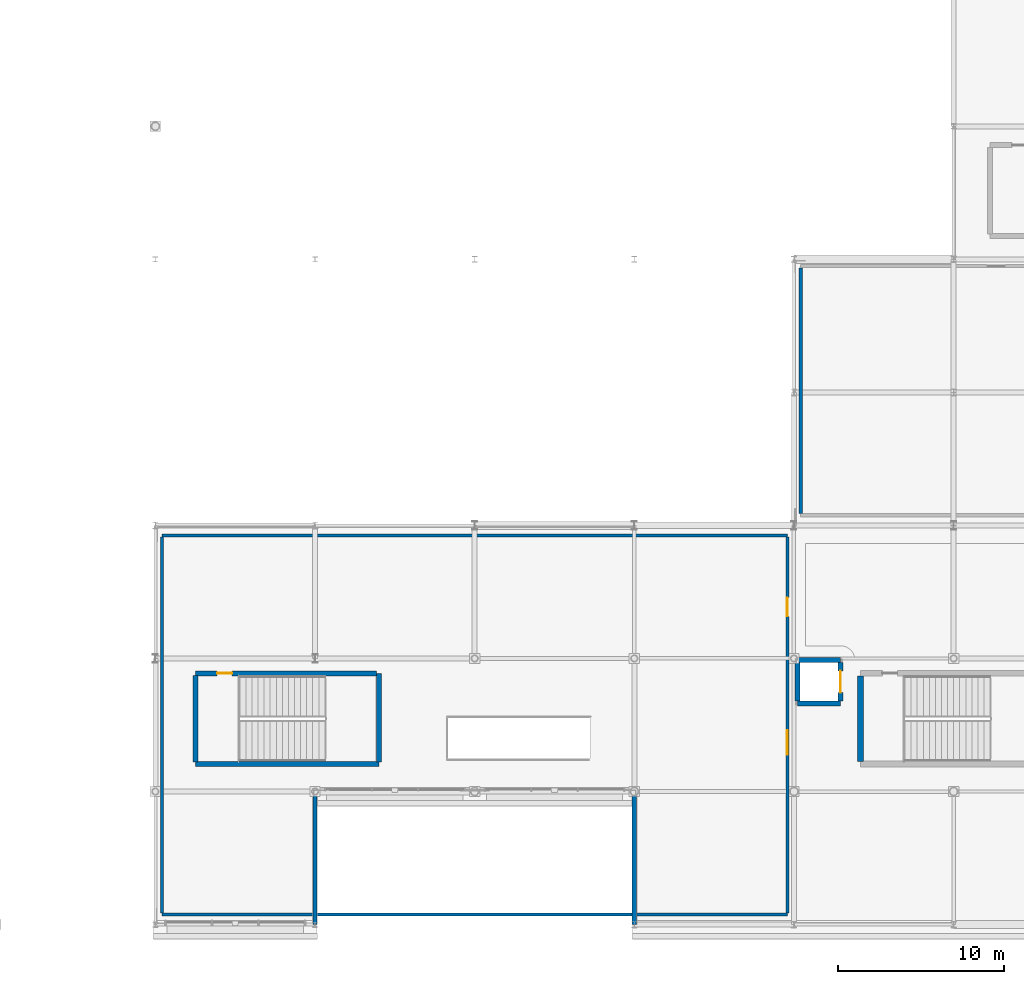
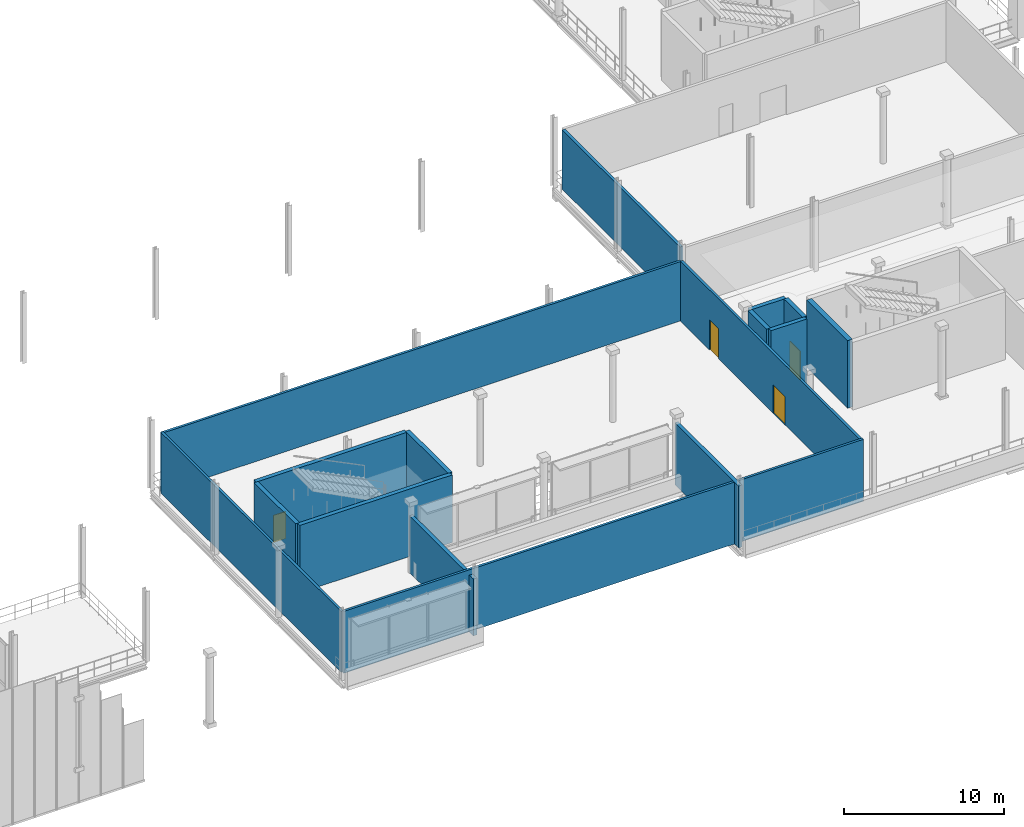
# One storey, part 81 of 129: 16 walls, 4 doors, 4 openings.
"""IFC4 building model written with IfcOpenShell, lengths in metres."""

import ifcopenshell
import ifcopenshell.guid

model = None  # the IFC model being written
_history = None  # IfcOwnerHistory: only IFC2X3 demands one
_inside = {}  # id of a spatial element -> (the spatial element, [elements in it])
_under = {}  # id of a project, library or spatial element -> (it, [spatial elements below it])
_declared = {}  # id of a project -> (the project, [libraries it declares])
_typed = {}  # id of a type object -> (the type object, [elements of that type])
_made_of = {}  # id of a material, layer set ... -> (it, [elements and type objects made of it])


def new_model(schema):
    """Start an empty IFC model of exactly this schema.

    Asked for "IFC4X3", IfcOpenShell would pick the latest addendum, in which some entities
    have other attributes; the version numbers below select the first issue.
    IFC2X3 requires an IfcOwnerHistory on every rooted entity: one is made here for all.
    """
    global model, _history
    if schema == "IFC4X3":
        model = ifcopenshell.file(schema_version=(4, 3, 0, 0))
    else:
        model = ifcopenshell.file(schema=schema)
    _inside.clear()
    _under.clear()
    _declared.clear()
    _typed.clear()
    _made_of.clear()
    _history = None
    if model.schema == "IFC2X3":
        org = make("IfcOrganization", Name="unknown")
        user = make(
            "IfcPersonAndOrganization",
            ThePerson=make("IfcPerson", FamilyName="unknown"),
            TheOrganization=org,
        )
        app = make(
            "IfcApplication",
            ApplicationDeveloper=org,
            Version="unknown",
            ApplicationFullName="unknown",
            ApplicationIdentifier="unknown",
        )
        _history = make(
            "IfcOwnerHistory",
            OwningUser=user,
            OwningApplication=app,
            ChangeAction="ADDED",
            CreationDate=0,
        )
    return model


def make(cls, **values):
    """One entity of the class cls with the attributes given. An attribute that is None is left unset."""
    return model.create_entity(
        cls, **{name: value for name, value in values.items() if value is not None}
    )


def rooted(cls, **values):
    """An entity with a GlobalId (a new one), such as an element, a storey or a relation."""
    return make(cls, GlobalId=ifcopenshell.guid.new(), OwnerHistory=_history, **values)


def si_unit(unit_type, name, prefix=None):
    """IfcSIUnit, for example si_unit("LENGTHUNIT", "METRE", prefix="MILLI")."""
    return make("IfcSIUnit", UnitType=unit_type, Prefix=prefix, Name=name)


def assignment(units):
    """IfcUnitAssignment: the units of a project."""
    return None if units is None else make("IfcUnitAssignment", Units=units)


def point(xyz):
    """IfcCartesianPoint."""
    return None if xyz is None else make("IfcCartesianPoint", Coordinates=xyz)


def direction(xyz):
    """IfcDirection."""
    return None if xyz is None else make("IfcDirection", DirectionRatios=xyz)


def frame(location, z_axis=None, x_axis=None):
    """IfcAxis2Placement3D, a coordinate frame: its origin and axes. An axis left out is left unset."""
    return make(
        "IfcAxis2Placement3D",
        Location=point(location),
        Axis=direction(z_axis),
        RefDirection=direction(x_axis),
    )


def frame_2d(location, x_axis=None):
    """IfcAxis2Placement2D, a coordinate frame in the plane: its origin and x axis."""
    return make(
        "IfcAxis2Placement2D", Location=point(location), RefDirection=direction(x_axis)
    )


def origin():
    """The frame at (0, 0, 0) with its axes left unset."""
    return frame((0.0, 0.0, 0.0))


def place(relative_to, where):
    """IfcLocalPlacement: puts the frame where relative to a parent placement (None: the world)."""
    return make(
        "IfcLocalPlacement", PlacementRelTo=relative_to, RelativePlacement=where
    )


def context(
    kind, dimensions, precision=None, world=None, true_north=None, identifier=None
):
    """IfcGeometricRepresentationContext, for example the 3D "Model" context."""
    return make(
        "IfcGeometricRepresentationContext",
        ContextIdentifier=identifier,
        ContextType=kind,
        CoordinateSpaceDimension=dimensions,
        Precision=precision,
        WorldCoordinateSystem=world,
        TrueNorth=true_north,
    )


def subcontext(parent, identifier, kind, view, scale=None):
    """IfcGeometricRepresentationSubContext, for example "Body" below "Model"."""
    return make(
        "IfcGeometricRepresentationSubContext",
        ContextIdentifier=identifier,
        ContextType=kind,
        ParentContext=parent,
        TargetScale=scale,
        TargetView=view,
    )


def project(units=None, contexts=None):
    """IfcProject with its units and contexts."""
    return rooted(
        "IfcProject",
        Name="project",
        RepresentationContexts=contexts,
        UnitsInContext=assignment(units),
    )


def spatial(cls, under=None, at=None, **own):
    """A site, building, storey or space (cls), placed at a placement, below another one or the project."""
    s = rooted(cls, ObjectPlacement=at, **own)
    if under is not None:
        _under.setdefault(under.id(), (under, []))[1].append(s)
    return s


def profile(cls, at=None, kind="AREA", **sizes):
    """A parametric profile (cls). Its sizes go by their IFC names, for example OverallWidth=200.0."""
    return make(cls, ProfileType=kind, Position=at, **sizes)


def rectangle(**sizes):
    """IfcRectangleProfileDef."""
    return profile("IfcRectangleProfileDef", **sizes)


def extrude(swept, where, along, depth):
    """IfcExtrudedAreaSolid: the profile swept, set in the frame where, extruded along a direction by depth."""
    return make(
        "IfcExtrudedAreaSolid",
        SweptArea=swept,
        Position=where,
        ExtrudedDirection=direction(along),
        Depth=depth,
    )


def shape(context_of_items, identifier, shape_type, items):
    """IfcShapeRepresentation: the items that make up one representation, for example the "Body"."""
    return make(
        "IfcShapeRepresentation",
        ContextOfItems=context_of_items,
        RepresentationIdentifier=identifier,
        RepresentationType=shape_type,
        Items=items,
    )


def material(Name=None, Category=None):
    """IfcMaterial."""
    return make("IfcMaterial", Name=Name, Category=Category)


def layer(
    of_material, thickness, ventilated=None, Name=None, Category=None, Priority=None
):
    """IfcMaterialLayer: one layer of a wall or slab, of a material (None: an air gap)."""
    return make(
        "IfcMaterialLayer",
        Material=of_material,
        LayerThickness=thickness,
        IsVentilated=ventilated,
        Name=Name,
        Category=Category,
        Priority=Priority,
    )


def layer_set(layers, Name=None):
    """IfcMaterialLayerSet."""
    return make("IfcMaterialLayerSet", MaterialLayers=layers, LayerSetName=Name)


def made_of(thing, what):
    """Note that an element or type object is made of a material, layer set ...; save() writes the relation."""
    if what is not None:
        _made_of.setdefault(what.id(), (what, []))[1].append(thing)
    return thing


def type_object(cls, material=None, **own):
    """A type object (cls), such as IfcWallType, which elements share."""
    return made_of(rooted(cls, **own), material)


def element(
    cls,
    number,
    at=None,
    inside=None,
    cuts=None,
    type_object=None,
    material=None,
    context=None,
    identifier="Body",
    shape_type=None,
    held_by="IfcProductDefinitionShape",
    body=None,
    shapes=None,
    **own,
):
    """One element of the class cls, such as IfcWall. Its Tag is "e" and its number.

    at: its placement. inside: the storey or other place that contains it. cuts: it is an
    opening in that element (IfcRelVoidsElement). A single representation is given by context,
    identifier, shape_type and body (its items); several are given by shapes. held_by: the class
    of the entity that holds the representations. save() writes the other relations.
    """
    e = rooted(cls, Tag="e%d" % number, ObjectPlacement=at, **own)
    if body is not None:
        shapes = [shape(context, identifier, shape_type, body)]
    if shapes is not None:
        e.Representation = make(held_by, Representations=shapes)
    if inside is not None:
        _inside.setdefault(inside.id(), (inside, []))[1].append(e)
    if cuts is not None:
        rooted(
            "IfcRelVoidsElement", RelatingBuildingElement=cuts, RelatedOpeningElement=e
        )
    if type_object is not None:
        _typed.setdefault(type_object.id(), (type_object, []))[1].append(e)
    return made_of(e, material)


def fill(opening, filler):
    """IfcRelFillsElement: the door or window that sits in an opening."""
    return rooted(
        "IfcRelFillsElement",
        RelatingOpeningElement=opening,
        RelatedBuildingElement=filler,
    )


def aggregate(whole, parts):
    """IfcRelAggregates: a whole, such as a stair, and the parts it consists of."""
    return rooted("IfcRelAggregates", RelatingObject=whole, RelatedObjects=parts)


def save(model, path):
    """Write the relations noted so far, then the file.

    IfcRelAggregates (storeys below a building ...), IfcRelContainedInSpatialStructure (elements
    in a storey), IfcRelDefinesByType, IfcRelAssociatesMaterial and IfcRelDeclares: one each for
    every whole, place, type object, material and project.
    """
    for whole, parts in _under.values():
        aggregate(whole, parts)
    for where, things in _inside.values():
        rooted(
            "IfcRelContainedInSpatialStructure",
            RelatedElements=things,
            RelatingStructure=where,
        )
    for kind, things in _typed.values():
        rooted("IfcRelDefinesByType", RelatedObjects=things, RelatingType=kind)
    for what, things in _made_of.values():
        rooted("IfcRelAssociatesMaterial", RelatedObjects=things, RelatingMaterial=what)
    for by, libraries in _declared.values():
        rooted("IfcRelDeclares", RelatingContext=by, RelatedDefinitions=libraries)
    model.write(path)


model = new_model("IFC4")

# Units and contexts
model_context = context("Model", 3, precision=1e-05, world=origin(), true_north=direction((0.0, 1.0)))
body_context = subcontext(model_context, "Body", "Model", "MODEL_VIEW")
ifc_project = project(units=[si_unit("LENGTHUNIT", "METRE"), si_unit("AREAUNIT", "SQUARE_METRE"), si_unit("VOLUMEUNIT", "CUBIC_METRE"), si_unit("PLANEANGLEUNIT", "RADIAN"), si_unit("MASSUNIT", "GRAM", prefix="KILO")], contexts=[model_context])

# Site, building, storey
site_placement = place(None, origin())
site = spatial("IfcSite", under=ifc_project, at=site_placement, CompositionType="ELEMENT")
building_placement = place(site_placement, origin())
building = spatial("IfcBuilding", under=site, at=building_placement, Name="Danafjord Basin Convention Centre", CompositionType="ELEMENT")
storey_placement = place(building_placement, frame((0.0, 0.0, 6.0)))
storey = spatial("IfcBuildingStorey", under=building, at=storey_placement, Name="L01", CompositionType="ELEMENT", Elevation=6.0)

# Walls
ifc_material_1 = material(Name="Concrete C40/50", Category="concrete")
ifc_layer_1 = layer(ifc_material_1, 0.300048828125)
ifc_layer_set_1 = layer_set([ifc_layer_1], Name="Concrete C40/50")
wall_type_1 = type_object("IfcWallType", Name="WALL-CW-CORE300", PredefinedType="SHEAR", material=ifc_layer_set_1)
wall_1_placement = place(storey_placement, frame((146.39990234375, 9.64990234375, 0.0), z_axis=(0.0, 0.0, 1.0), x_axis=(1.0, 0.0, 0.0)))
element("IfcWall", 1, at=wall_1_placement, inside=storey, type_object=wall_type_1, Name="Harbour Pavilion West Escape Stair core shear wall (south)", PredefinedType="SHEAR", context=body_context, shape_type="SweptSolid", body=[
    extrude(rectangle(XDim=11.0400390625, YDim=0.300048828125, at=frame_2d((5.52001953125, 0.0))), origin(), (0.0, 0.0, 1.0), 5.169921875),
])
wall_2_placement = place(storey_placement, frame((157.43994140625, 9.784912109375, 0.0), z_axis=(0.0, 0.0, 1.0), x_axis=(0.0, 1.0, 0.0)))
element("IfcWall", 2, at=wall_2_placement, inside=storey, type_object=wall_type_1, Name="Harbour Pavilion West Escape Stair core shear wall (east)", PredefinedType="SHEAR", context=body_context, shape_type="SweptSolid", body=[
    extrude(rectangle(XDim=5.3251953125, YDim=0.300048828125, at=frame_2d((2.66259765625, 0.0))), origin(), (0.0, 0.0, 1.0), 5.169921875),
])

# Wall, opening, door
wall_3_placement = place(storey_placement, frame((157.304931640625, 15.110107421875, 0.0), z_axis=(0.0, 0.0, 1.0), x_axis=(-1.0, 0.0, 0.0)))
wall_3 = element("IfcWall", 3, at=wall_3_placement, inside=storey, type_object=wall_type_1, Name="Harbour Pavilion West Escape Stair core shear wall (north)", PredefinedType="SHEAR", context=body_context, shape_type="SweptSolid", body=[
    extrude(rectangle(XDim=10.905029296875, YDim=0.300048828125, at=frame_2d((5.45263671875, 0.0))), origin(), (0.0, 0.0, 1.0), 5.169921875),
])
opening_1_placement = place(wall_3_placement, frame((8.68408203125, 0.0, 0.0)))
opening_1 = element("IfcOpeningElement", 4, at=opening_1_placement, cuts=wall_3, Name="Opening FD-S01", PredefinedType="OPENING", context=body_context, shape_type="SweptSolid", body=[
    extrude(rectangle(XDim=0.909912109375, YDim=2.080078125, at=frame_2d((0.455078125, 1.0400390625))), frame((0.0, 0.159912109375, 0.0), z_axis=(0.0, -1.0, 0.0), x_axis=(1.0, 0.0, 0.0)), (0.0, 0.0, 1.0), 0.320068359375),
])
ifc_material_2 = material(Name="Powder-coated steel and Nordic oak", Category="steel")
door_type_1 = type_object("IfcDoorType", Name="DOOR-FD-S01", OperationType="NOTDEFINED", PredefinedType="DOOR", material=ifc_material_2)
door_1_placement = place(opening_1_placement, origin())
door_1 = element("IfcDoor", 5, at=door_1_placement, inside=storey, type_object=door_type_1, Name="Harbour Pavilion West Escape Stair L01 Fire Exit Door", OperationType="SINGLE_SWING_RIGHT", OverallHeight=2.080078125, OverallWidth=0.909912109375, PredefinedType="DOOR", context=body_context, shape_type="SweptSolid", body=[
    extrude(rectangle(XDim=0.909912109375, YDim=2.080078125, at=frame_2d((0.455078125, 1.0400390625))), frame((0.0, 0.02490234375, 0.0), z_axis=(0.0, -1.0, 0.0), x_axis=(1.0, 0.0, 0.0)), (0.0, 0.0, 1.0), 0.050048828125),
])
fill(opening_1, door_1)

# Walls
wall_4_placement = place(storey_placement, frame((146.39990234375, 14.97509765625, 0.0), z_axis=(0.0, 0.0, 1.0), x_axis=(0.0, -1.0, 0.0)))
element("IfcWall", 6, at=wall_4_placement, inside=storey, type_object=wall_type_1, Name="Harbour Pavilion West Escape Stair core shear wall (west)", PredefinedType="SHEAR", context=body_context, shape_type="SweptSolid", body=[
    extrude(rectangle(XDim=5.190185546875, YDim=0.300048828125, at=frame_2d((2.59521484375, 0.0))), origin(), (0.0, 0.0, 1.0), 5.169921875),
])
for number, where, z_axis, x_axis, name in (
    (7, (185.199951171875, 15.89990234375, 0.0), (0.0, 0.0, 1.0), (-1.0, 0.0, 0.0), "Lift LF-P06 shaft shear wall"),
    (8, (182.60009765625, 13.300048828125, 0.0), (0.0, 0.0, 1.0), (1.0, 0.0, 0.0), "Lift LF-P06 shaft shear wall"),
):
    element("IfcWall", number, at=place(storey_placement, frame(where, z_axis=z_axis, x_axis=x_axis)), inside=storey, type_object=wall_type_1, Name=name, PredefinedType="SHEAR", context=body_context, shape_type="SweptSolid", body=[
        extrude(rectangle(XDim=2.599853515625, YDim=0.300048828125, at=frame_2d((1.2998046875, 0.0))), origin(), (0.0, 0.0, 1.0), 5.169921875),
    ])

# Wall, opening, door
wall_5_placement = place(storey_placement, frame((185.199951171875, 13.43505859375, 0.0), z_axis=(0.0, 0.0, 1.0), x_axis=(0.0, 1.0, 0.0)))
wall_5 = element("IfcWall", 9, at=wall_5_placement, inside=storey, type_object=wall_type_1, Name="Lift LF-P06 shaft shear wall", PredefinedType="SHEAR", context=body_context, shape_type="SweptSolid", body=[
    extrude(rectangle(XDim=2.329833984375, YDim=0.300048828125, at=frame_2d((1.1650390625, 0.0))), origin(), (0.0, 0.0, 1.0), 5.169921875),
])
opening_2_placement = place(wall_5_placement, frame((0.514892578125, 0.0, 0.0)))
opening_2 = element("IfcOpeningElement", 10, at=opening_2_placement, cuts=wall_5, Name="Opening LD-P02", PredefinedType="OPENING", context=body_context, shape_type="SweptSolid", body=[
    extrude(rectangle(XDim=1.300048828125, YDim=2.219970703125, at=frame_2d((0.64990234375, 1.10986328125))), frame((0.0, 0.159912109375, 0.0), z_axis=(0.0, -1.0, 0.0), x_axis=(1.0, 0.0, 0.0)), (0.0, 0.0, 1.0), 0.320068359375),
])
ifc_material_3 = material(Name="Brushed stainless steel and acoustic laminated glass", Category="steel")
door_type_2 = type_object("IfcDoorType", Name="DOOR-LD-P02", OperationType="DOUBLE_DOOR_SLIDING", PredefinedType="DOOR", material=ifc_material_3)
door_2_placement = place(opening_2_placement, origin())
door_2 = element("IfcDoor", 11, at=door_2_placement, inside=storey, type_object=door_type_2, Name="Lift LF-P06 L01 Landing Door", OperationType="DOUBLE_DOOR_SLIDING", OverallHeight=2.219970703125, OverallWidth=1.300048828125, PredefinedType="DOOR", context=body_context, shape_type="SweptSolid", body=[
    extrude(rectangle(XDim=1.300048828125, YDim=2.219970703125, at=frame_2d((0.64990234375, 1.10986328125))), frame((0.0, 0.02490234375, 0.0), z_axis=(0.0, -1.0, 0.0), x_axis=(1.0, 0.0, 0.0)), (0.0, 0.0, 1.0), 0.050048828125),
])
fill(opening_2, door_2)

# Walls
wall_6_placement = place(storey_placement, frame((182.60009765625, 15.764892578125, 0.0), z_axis=(0.0, 0.0, 1.0), x_axis=(0.0, -1.0, 0.0)))
element("IfcWall", 12, at=wall_6_placement, inside=storey, type_object=wall_type_1, Name="Lift LF-P06 shaft shear wall", PredefinedType="SHEAR", context=body_context, shape_type="SweptSolid", body=[
    extrude(rectangle(XDim=2.329833984375, YDim=0.300048828125, at=frame_2d((1.1650390625, 0.0))), origin(), (0.0, 0.0, 1.0), 5.169921875),
])
ifc_material_4 = material(Name="Concrete C45/55", Category="concrete")
ifc_layer_2 = layer(ifc_material_4, 0.35009765625)
ifc_layer_set_2 = layer_set([ifc_layer_2], Name="Concrete C45/55")
wall_type_2 = type_object("IfcWallType", Name="WALL-CW-CORE350", PredefinedType="SHEAR", material=ifc_layer_set_2)
wall_7_placement = place(storey_placement, frame((186.39990234375, 14.949951171875, 0.0), z_axis=(0.0, 0.0, 1.0), x_axis=(0.0, -1.0, 0.0)))
element("IfcWall", 13, at=wall_7_placement, inside=storey, type_object=wall_type_2, Name="Harbour Pavilion Core Stair 1 core shear wall (west)", PredefinedType="SHEAR", context=body_context, shape_type="SweptSolid", body=[
    extrude(rectangle(XDim=5.139892578125, YDim=0.35009765625, at=frame_2d((2.56982421875, 0.0))), origin(), (0.0, 0.0, 1.0), 5.169921875),
])
ifc_material_5 = material(Name="Concrete C35/45", Category="concrete")
ifc_layer_3 = layer(ifc_material_5, 0.260009765625)
ifc_layer_set_3 = layer_set([ifc_layer_3], Name="Concrete C35/45")
wall_type_3 = type_object("IfcWallType", Name="WALL-EW-STD260", PredefinedType="STANDARD", material=ifc_layer_set_3)
wall_8_placement = place(storey_placement, frame((153.60009765625, 0.0, 0.0), z_axis=(0.0, 0.0, 1.0), x_axis=(0.0, 1.0, 0.0)))
element("IfcWall", 14, at=wall_8_placement, inside=storey, type_object=wall_type_3, Name="Harbour entry court west cheek wall", PredefinedType="STANDARD", context=body_context, shape_type="SweptSolid", body=[
    extrude(rectangle(XDim=8.0, YDim=0.260009765625, at=frame_2d((4.0, 0.0))), origin(), (0.0, 0.0, 1.0), 4.340087890625),
])
wall_9_placement = place(storey_placement, frame((172.800048828125, 0.0, 0.0), z_axis=(0.0, 0.0, 1.0), x_axis=(0.0, 1.0, 0.0)))
element("IfcWall", 15, at=wall_9_placement, inside=storey, type_object=wall_type_3, Name="Harbour entry court east cheek wall", PredefinedType="STANDARD", context=body_context, shape_type="SweptSolid", body=[
    extrude(rectangle(XDim=8.0, YDim=0.260009765625, at=frame_2d((4.0, 0.0))), origin(), (0.0, 0.0, 1.0), 4.739990234375),
])
ifc_material_6 = material(Name="Acoustic double-board gypsum stud partition")
ifc_layer_4 = layer(ifc_material_6, 0.175048828125)
ifc_layer_set_4 = layer_set([ifc_layer_4], Name="Acoustic double-board gypsum stud partition")
wall_type_4 = type_object("IfcWallType", Name="WALL-PT-AC175", PredefinedType="PARTITIONING", material=ifc_layer_set_4)
wall_10_placement = place(storey_placement, frame((182.0, 23.39990234375, 0.0), z_axis=(0.0, 0.0, 1.0), x_axis=(-1.0, 0.0, 0.0)))
element("IfcWall", 16, at=wall_10_placement, inside=storey, type_object=wall_type_4, Name="Nordic Harbour Panorama Restaurant north partition", PredefinedType="PARTITIONING", context=body_context, shape_type="SweptSolid", body=[
    extrude(rectangle(XDim=37.60009765625, YDim=0.175048828125, at=frame_2d((18.800048828125, 0.0))), origin(), (0.0, 0.0, 1.0), 4.5400390625),
])
wall_11_placement = place(storey_placement, frame((144.39990234375, 0.60009765625, 0.0), z_axis=(0.0, 0.0, 1.0), x_axis=(1.0, 0.0, 0.0)))
element("IfcWall", 17, at=wall_11_placement, inside=storey, type_object=wall_type_4, Name="Nordic Harbour Panorama Restaurant south partition", PredefinedType="PARTITIONING", context=body_context, shape_type="SweptSolid", body=[
    extrude(rectangle(XDim=37.60009765625, YDim=0.175048828125, at=frame_2d((18.800048828125, 0.0))), origin(), (0.0, 0.0, 1.0), 4.739990234375),
])

# Wall, openings, doors
wall_12_placement = place(storey_placement, frame((182.0, 0.69140625, 0.0), z_axis=(0.0, 0.0, 1.0), x_axis=(0.0, 1.0, 0.0)))
wall_12 = element("IfcWall", 18, at=wall_12_placement, inside=storey, type_object=wall_type_4, Name="Nordic Harbour Panorama Restaurant east partition", PredefinedType="PARTITIONING", context=body_context, shape_type="SweptSolid", body=[
    extrude(rectangle(XDim=22.6171875, YDim=0.175048828125, at=frame_2d((11.30859375, 0.0))), origin(), (0.0, 0.0, 1.0), 4.590087890625),
])
opening_3_placement = place(wall_12_placement, frame((9.511962890625, 0.0, 0.0)))
opening_3 = element("IfcOpeningElement", 19, at=opening_3_placement, cuts=wall_12, Name="Opening FD-D08", PredefinedType="OPENING", context=body_context, shape_type="SweptSolid", body=[
    extrude(rectangle(XDim=1.47998046875, YDim=2.159912109375, at=frame_2d((0.739990234375, 1.080078125))), frame((0.0, 0.097412109375, 0.0), z_axis=(0.0, -1.0, 0.0), x_axis=(1.0, 0.0, 0.0)), (0.0, 0.0, 1.0), 0.195068359375),
])
opening_4_placement = place(wall_12_placement, frame((17.833984375, 0.0, 0.0)))
opening_4 = element("IfcOpeningElement", 20, at=opening_4_placement, cuts=wall_12, Name="Opening FD-S16", PredefinedType="OPENING", context=body_context, shape_type="SweptSolid", body=[
    extrude(rectangle(XDim=1.1298828125, YDim=2.300048828125, at=frame_2d((0.56494140625, 1.14990234375))), frame((0.0, 0.097412109375, 0.0), z_axis=(0.0, -1.0, 0.0), x_axis=(1.0, 0.0, 0.0)), (0.0, 0.0, 1.0), 0.195068359375),
])
door_type_3 = type_object("IfcDoorType", Name="DOOR-FD-D08", OperationType="DOUBLE_DOOR_SINGLE_SWING", PredefinedType="DOOR", material=ifc_material_3)
door_3_placement = place(opening_3_placement, origin())
door_3 = element("IfcDoor", 21, at=door_3_placement, inside=storey, type_object=door_type_3, Name="Nordic Harbour Panorama Restaurant Entrance Door", OperationType="DOUBLE_DOOR_SINGLE_SWING", OverallHeight=2.159912109375, OverallWidth=1.47998046875, PredefinedType="DOOR", context=body_context, shape_type="SweptSolid", body=[
    extrude(rectangle(XDim=1.47998046875, YDim=2.159912109375, at=frame_2d((0.739990234375, 1.080078125))), frame((0.0, 0.02490234375, 0.0), z_axis=(0.0, -1.0, 0.0), x_axis=(1.0, 0.0, 0.0)), (0.0, 0.0, 1.0), 0.050048828125),
])
fill(opening_3, door_3)
door_type_4 = type_object("IfcDoorType", Name="DOOR-FD-S16", OperationType="NOTDEFINED", PredefinedType="DOOR", material=ifc_material_2)
door_4_placement = place(opening_4_placement, origin())
door_4 = element("IfcDoor", 22, at=door_4_placement, inside=storey, type_object=door_type_4, Name="Nordic Harbour Panorama Restaurant Secondary Exit Door", OperationType="SINGLE_SWING_LEFT", OverallHeight=2.300048828125, OverallWidth=1.1298828125, PredefinedType="DOOR", context=body_context, shape_type="SweptSolid", body=[
    extrude(rectangle(XDim=1.1298828125, YDim=2.300048828125, at=frame_2d((0.56494140625, 1.14990234375))), frame((0.0, 0.02490234375, 0.0), z_axis=(0.0, -1.0, 0.0), x_axis=(1.0, 0.0, 0.0)), (0.0, 0.0, 1.0), 0.050048828125),
])
fill(opening_4, door_4)

# Walls
wall_13_placement = place(storey_placement, frame((144.39990234375, 23.30859375, 0.0), z_axis=(0.0, 0.0, 1.0), x_axis=(0.0, -1.0, 0.0)))
element("IfcWall", 23, at=wall_13_placement, inside=storey, type_object=wall_type_4, Name="Nordic Harbour Panorama Restaurant west partition", PredefinedType="PARTITIONING", context=body_context, shape_type="SweptSolid", body=[
    extrude(rectangle(XDim=22.6171875, YDim=0.175048828125, at=frame_2d((11.30859375, 0.0))), origin(), (0.0, 0.0, 1.0), 4.64990234375),
])
ifc_layer_5 = layer(ifc_material_5, 0.205078125)
ifc_layer_set_5 = layer_set([ifc_layer_5], Name="Concrete C35/45")
wall_type_5 = type_object("IfcWallType", Name="WALL-W-COMP205", PredefinedType="SOLIDWALL", material=ifc_layer_set_5)
wall_14_placement = place(storey_placement, frame((182.800048828125, 39.493408203125, 0.0), z_axis=(0.0, 0.0, 1.0), x_axis=(0.0, -1.0, 0.0)))
element("IfcWall", 24, at=wall_14_placement, inside=storey, type_object=wall_type_5, Name="Mezzanine Hospitality Kitchen west partition", PredefinedType="SOLIDWALL", context=body_context, shape_type="SweptSolid", body=[
    extrude(rectangle(XDim=14.786865234375, YDim=0.205078125, at=frame_2d((7.3935546875, 0.0))), origin(), (0.0, 0.0, 1.0), 4.5400390625),
])

save(model, "model.ifc")
